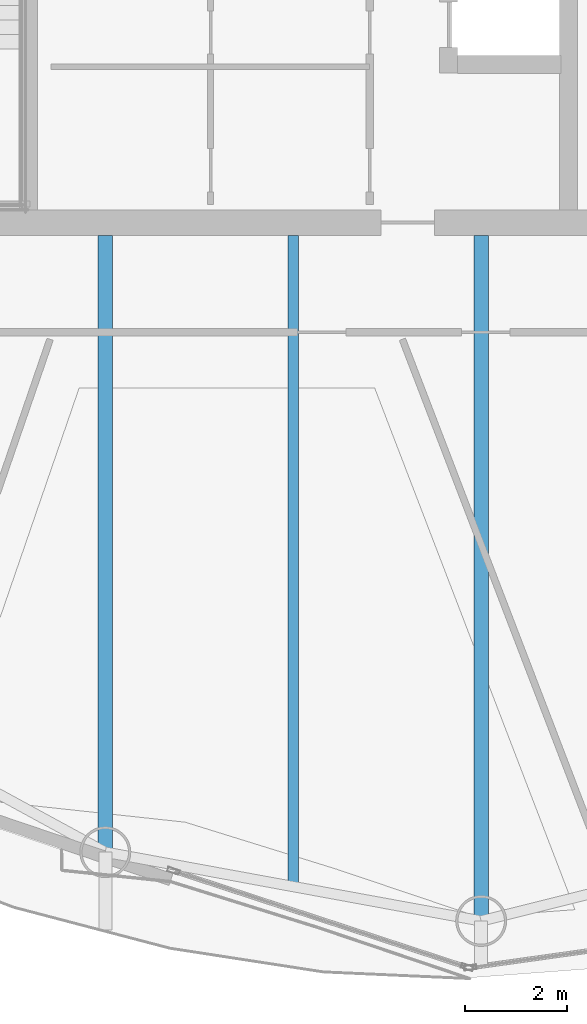
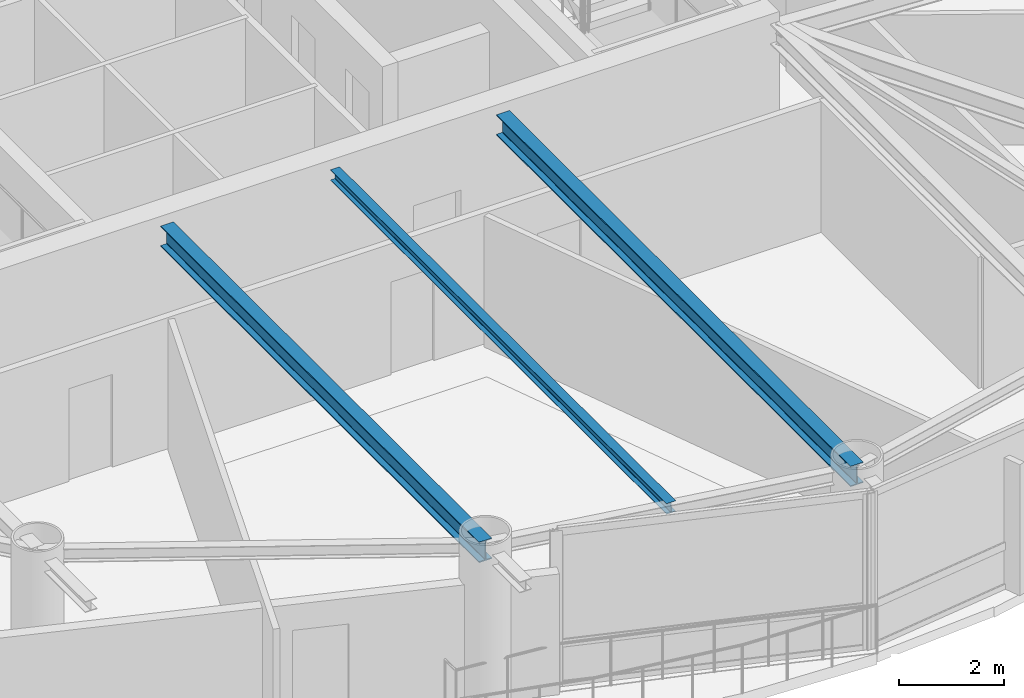
# One storey, part 4 of 20: 3 beams.
"""IFC4 building model written with IfcOpenShell, lengths in metres."""

from ifc_helpers import new_model, si_unit, direction, frame, origin, origin_2d, place, context, subcontext, project, spatial, i_section, extrude, material, material_profile, profile_set, type_object, element, save


model = new_model("IFC4")

# Units and contexts
model_context = context("Model", 3, precision=1e-05, world=origin(), true_north=direction((0.0, 1.0)))
body_context = subcontext(model_context, "Body", "Model", "MODEL_VIEW")
ifc_project = project(units=[si_unit("LENGTHUNIT", "METRE"), si_unit("AREAUNIT", "SQUARE_METRE"), si_unit("VOLUMEUNIT", "CUBIC_METRE"), si_unit("PLANEANGLEUNIT", "RADIAN"), si_unit("MASSUNIT", "GRAM", prefix="KILO")], contexts=[model_context])

# Site, building, storey
site_placement = place(None, origin())
site = spatial("IfcSite", under=ifc_project, at=site_placement, CompositionType="ELEMENT")
building_placement = place(site_placement, origin())
building = spatial("IfcBuilding", under=site, at=building_placement, Name="Bramvorn Convention Spire", CompositionType="ELEMENT")
storey_placement = place(building_placement, frame((0.0, 0.0, 245.89990234375)))
storey = spatial("IfcBuildingStorey", under=building, at=storey_placement, Name="L62", CompositionType="ELEMENT", Elevation=245.89990234375)

# Beams
ifc_material = material(Name="Steel CSA G40.21 Grade 350 (350W)", Category="steel")
ifc_material_profile_1 = material_profile(ifc_material, i_section(OverallWidth=0.201904296875, OverallDepth=0.2470703125, WebThickness=0.00732421875, FlangeThickness=0.010986328125, FilletRadius=0.011962890625, at=origin_2d()))
ifc_profile_set_1 = profile_set([ifc_material_profile_1], Name="Steel CSA G40.21 Grade 350 (350W) - W250X49")
beam_type_1 = type_object("IfcBeamType", Name="BM-W250X49", PredefinedType="JOIST", material=ifc_profile_set_1)
beam_1_placement = place(storey_placement, frame((39.501953125, 18.550048828125, 3.501708984375), z_axis=(0.0, -1.0, 0.0), x_axis=(1.0, 0.0, 0.0)))
element("IfcBeam", 1, at=beam_1_placement, inside=storey, type_object=beam_type_1, Name="L62 composite floor joist 15", PredefinedType="JOIST", context=body_context, shape_type="SweptSolid", body=[
    extrude(i_section(OverallWidth=0.201904296875, OverallDepth=0.2470703125, WebThickness=0.00732421875, FlangeThickness=0.010986328125, FilletRadius=0.011962890625, at=origin_2d()), origin(), (0.0, 0.0, 1.0), 12.77587890625),
])
ifc_material_profile_2 = material_profile(ifc_material, i_section(OverallWidth=0.283935546875, OverallDepth=0.47607421875, WebThickness=0.014892578125, FlangeThickness=0.02392578125, FilletRadius=0.01806640625, at=origin_2d()))
ifc_profile_set_2 = profile_set([ifc_material_profile_2], Name="Steel CSA G40.21 Grade 350 (350W) - W460X158")
beam_type_2 = type_object("IfcBeamType", Name="BM-W460X158", PredefinedType="SPANDREL", material=ifc_profile_set_2)
beam_2_placement = place(storey_placement, frame((35.8154296875, 18.550048828125, 3.38720703125), z_axis=(0.0, -1.0, 0.0), x_axis=(1.0, 0.0, 0.0)))
element("IfcBeam", 2, at=beam_2_placement, inside=storey, type_object=beam_type_2, Name="L62 radial floor girder MC15", PredefinedType="SPANDREL", context=body_context, shape_type="SweptSolid", body=[
    extrude(i_section(OverallWidth=0.283935546875, OverallDepth=0.47607421875, WebThickness=0.014892578125, FlangeThickness=0.02392578125, FilletRadius=0.01806640625, at=origin_2d()), origin(), (0.0, 0.0, 1.0), 12.100830078125),
])
beam_3_placement = place(storey_placement, frame((43.1884765625, 18.550048828125, 3.38720703125), z_axis=(0.0, -1.0, 0.0), x_axis=(1.0, 0.0, 0.0)))
element("IfcBeam", 3, at=beam_3_placement, inside=storey, type_object=beam_type_2, Name="L62 radial floor girder MC16", PredefinedType="SPANDREL", context=body_context, shape_type="SweptSolid", body=[
    extrude(i_section(OverallWidth=0.283935546875, OverallDepth=0.47607421875, WebThickness=0.014892578125, FlangeThickness=0.02392578125, FilletRadius=0.01806640625, at=origin_2d()), origin(), (0.0, 0.0, 1.0), 13.450927734375),
])

save(model, "model.ifc")
